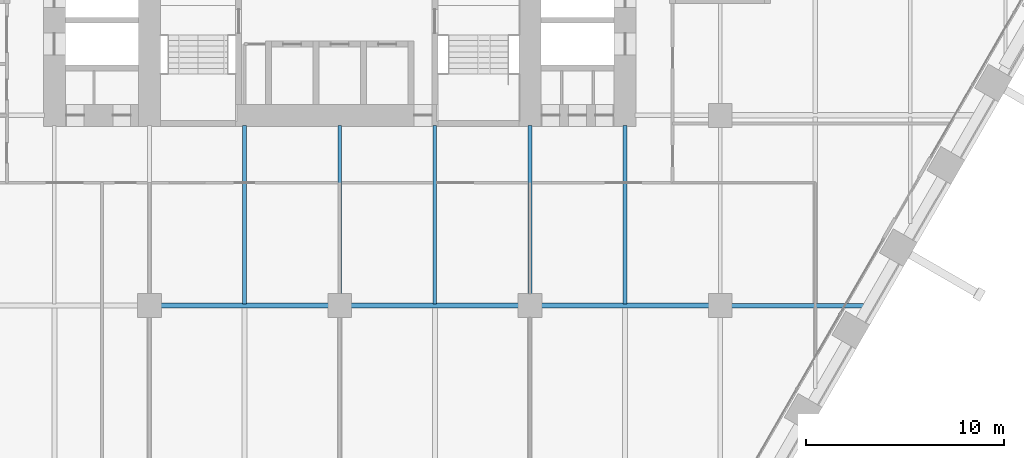
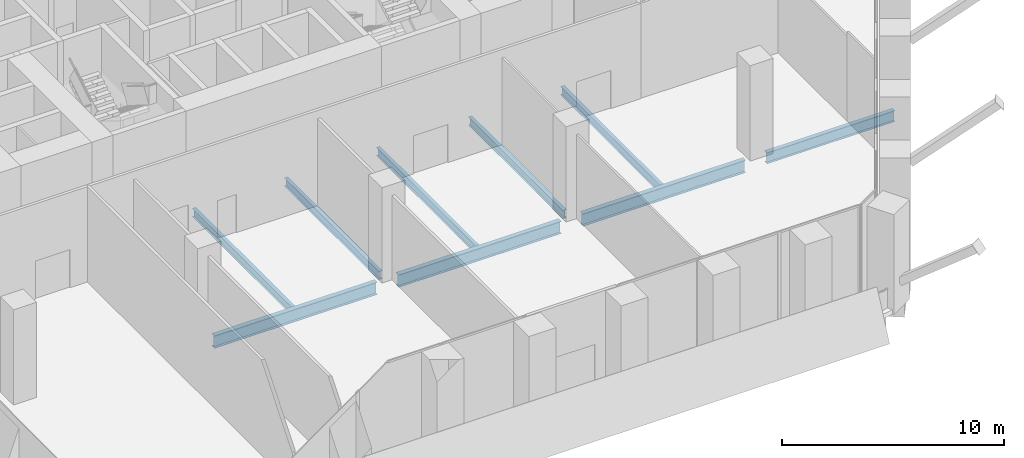
# One storey, part 6 of 29: 9 beams.
"""IFC4 building model written with IfcOpenShell, lengths in metres."""

from ifc_helpers import new_model, si_unit, direction, frame, origin, origin_2d, place, context, subcontext, project, spatial, i_section, extrude, material, material_profile, profile_set, type_object, element, save


model = new_model("IFC4")

# Units and contexts
model_context = context("Model", 3, precision=1e-05, world=origin(), true_north=direction((0.0, 1.0)))
body_context = subcontext(model_context, "Body", "Model", "MODEL_VIEW")
ifc_project = project(units=[si_unit("LENGTHUNIT", "METRE"), si_unit("AREAUNIT", "SQUARE_METRE"), si_unit("VOLUMEUNIT", "CUBIC_METRE"), si_unit("PLANEANGLEUNIT", "RADIAN"), si_unit("MASSUNIT", "GRAM", prefix="KILO")], contexts=[model_context])

# Site, building, storey
site_placement = place(None, origin())
site = spatial("IfcSite", under=ifc_project, at=site_placement, CompositionType="ELEMENT")
building_placement = place(site_placement, origin())
building = spatial("IfcBuilding", under=site, at=building_placement, Name="Kolab Exchange Tower", CompositionType="ELEMENT")
storey_placement = place(building_placement, frame((0.0, 0.0, 55.39990234375)))
storey = spatial("IfcBuildingStorey", under=building, at=storey_placement, Name="L10", CompositionType="ELEMENT", Elevation=55.39990234375)

# Beams
ifc_material = material(Name="Steel S355", Category="steel")
ifc_material_profile_1 = material_profile(ifc_material, i_section(OverallWidth=0.18994140625, OverallDepth=0.45703125, WebThickness=0.009033203125, FlangeThickness=0.014404296875, at=origin_2d()), Name="W460X74")
ifc_profile_set_1 = profile_set([ifc_material_profile_1], Name="Steel S355")
beam_type_1 = type_object("IfcBeamType", Name="FLOOR BEAM W460X74", PredefinedType="BEAM", material=ifc_profile_set_1)
beam_1_placement = place(storey_placement, frame((-4.800048828125, -19.113037109375, -0.478515625), z_axis=(0.0, 1.0, 0.0), x_axis=(-1.0, 0.0, 0.0)))
element("IfcBeam", 1, at=beam_1_placement, inside=storey, type_object=beam_type_1, Name="beam/L10/fr/027", PredefinedType="BEAM", context=body_context, shape_type="SweptSolid", body=[
    extrude(i_section(OverallWidth=0.18994140625, OverallDepth=0.45703125, WebThickness=0.009033203125, FlangeThickness=0.014404296875, at=origin_2d()), origin(), (0.0, 0.0, 1.0), 9.0029296875),
])
beam_2_placement = place(storey_placement, frame((0.0, -18.639892578125, -0.478515625), z_axis=(0.0, 1.0, 0.0), x_axis=(-1.0, 0.0, 0.0)))
element("IfcBeam", 2, at=beam_2_placement, inside=storey, type_object=beam_type_1, Name="beam/L10/fr/031", PredefinedType="BEAM", context=body_context, shape_type="SweptSolid", body=[
    extrude(i_section(OverallWidth=0.18994140625, OverallDepth=0.45703125, WebThickness=0.009033203125, FlangeThickness=0.014404296875, at=origin_2d()), origin(), (0.0, 0.0, 1.0), 8.52978515625),
])
beam_3_placement = place(storey_placement, frame((4.800048828125, -19.113037109375, -0.478515625), z_axis=(0.0, 1.0, 0.0), x_axis=(-1.0, 0.0, 0.0)))
element("IfcBeam", 3, at=beam_3_placement, inside=storey, type_object=beam_type_1, Name="beam/L10/fr/035", PredefinedType="BEAM", context=body_context, shape_type="SweptSolid", body=[
    extrude(i_section(OverallWidth=0.18994140625, OverallDepth=0.45703125, WebThickness=0.009033203125, FlangeThickness=0.014404296875, at=origin_2d()), origin(), (0.0, 0.0, 1.0), 9.0029296875),
])
beam_4_placement = place(storey_placement, frame((9.60009765625, -18.639892578125, -0.478515625), z_axis=(0.0, 1.0, 0.0), x_axis=(-1.0, 0.0, 0.0)))
element("IfcBeam", 4, at=beam_4_placement, inside=storey, type_object=beam_type_1, Name="beam/L10/fr/039", PredefinedType="BEAM", context=body_context, shape_type="SweptSolid", body=[
    extrude(i_section(OverallWidth=0.18994140625, OverallDepth=0.45703125, WebThickness=0.009033203125, FlangeThickness=0.014404296875, at=origin_2d()), origin(), (0.0, 0.0, 1.0), 8.52978515625),
])
beam_5_placement = place(storey_placement, frame((14.39990234375, -19.113037109375, -0.478515625), z_axis=(0.0, 1.0, 0.0), x_axis=(-1.0, 0.0, 0.0)))
element("IfcBeam", 5, at=beam_5_placement, inside=storey, type_object=beam_type_1, Name="beam/L10/fr/043", PredefinedType="BEAM", context=body_context, shape_type="SweptSolid", body=[
    extrude(i_section(OverallWidth=0.18994140625, OverallDepth=0.45703125, WebThickness=0.009033203125, FlangeThickness=0.014404296875, at=origin_2d()), origin(), (0.0, 0.0, 1.0), 9.0029296875),
])
ifc_material_profile_2 = material_profile(ifc_material, i_section(OverallWidth=0.22802734375, OverallDepth=0.60791015625, WebThickness=0.01123046875, FlangeThickness=0.017333984375, at=origin_2d()), Name="W610X113")
ifc_profile_set_2 = profile_set([ifc_material_profile_2], Name="Steel S355")
beam_type_2 = type_object("IfcBeamType", Name="FLOOR GIRDER W610X113", PredefinedType="BEAM", material=ifc_profile_set_2)
beam_6_placement = place(storey_placement, frame((19.760009765625, -19.199951171875, -0.553955078125), z_axis=(1.0, 0.0, 0.0), x_axis=(0.0, 1.0, 0.0)))
element("IfcBeam", 6, at=beam_6_placement, inside=storey, type_object=beam_type_2, Name="beam/L10/gd/020", PredefinedType="BEAM", context=body_context, shape_type="SweptSolid", body=[
    extrude(i_section(OverallWidth=0.22802734375, OverallDepth=0.60791015625, WebThickness=0.01123046875, FlangeThickness=0.017333984375, at=origin_2d()), origin(), (0.0, 0.0, 1.0), 6.671142578125),
])
ifc_material_profile_3 = material_profile(ifc_material, i_section(OverallWidth=0.25390625, OverallDepth=0.68408203125, WebThickness=0.012451171875, FlangeThickness=0.018798828125, at=origin_2d()), Name="W690X140")
ifc_profile_set_3 = profile_set([ifc_material_profile_3], Name="Steel S355")
beam_type_3 = type_object("IfcBeamType", Name="FLOOR GIRDER W690X140", PredefinedType="BEAM", material=ifc_profile_set_3)
for number, where, z_axis, x_axis, name in (
    (7, (-9.0400390625, -19.199951171875, -0.591796875), (1.0, 0.0, 0.0), (0.0, 1.0, 0.0), "beam/L10/gd/011"),
    (8, (0.56005859375, -19.199951171875, -0.591796875), (1.0, 0.0, 0.0), (0.0, 1.0, 0.0), "beam/L10/gd/013"),
    (9, (10.159912109375, -19.199951171875, -0.591796875), (1.0, 0.0, 0.0), (0.0, 1.0, 0.0), "beam/L10/gd/015"),
):
    element("IfcBeam", number, at=place(storey_placement, frame(where, z_axis=z_axis, x_axis=x_axis)), inside=storey, type_object=beam_type_3, Name=name, PredefinedType="BEAM", context=body_context, shape_type="SweptSolid", body=[
        extrude(i_section(OverallWidth=0.25390625, OverallDepth=0.68408203125, WebThickness=0.012451171875, FlangeThickness=0.018798828125, at=origin_2d()), origin(), (0.0, 0.0, 1.0), 8.47998046875),
    ])

save(model, "model.ifc")
